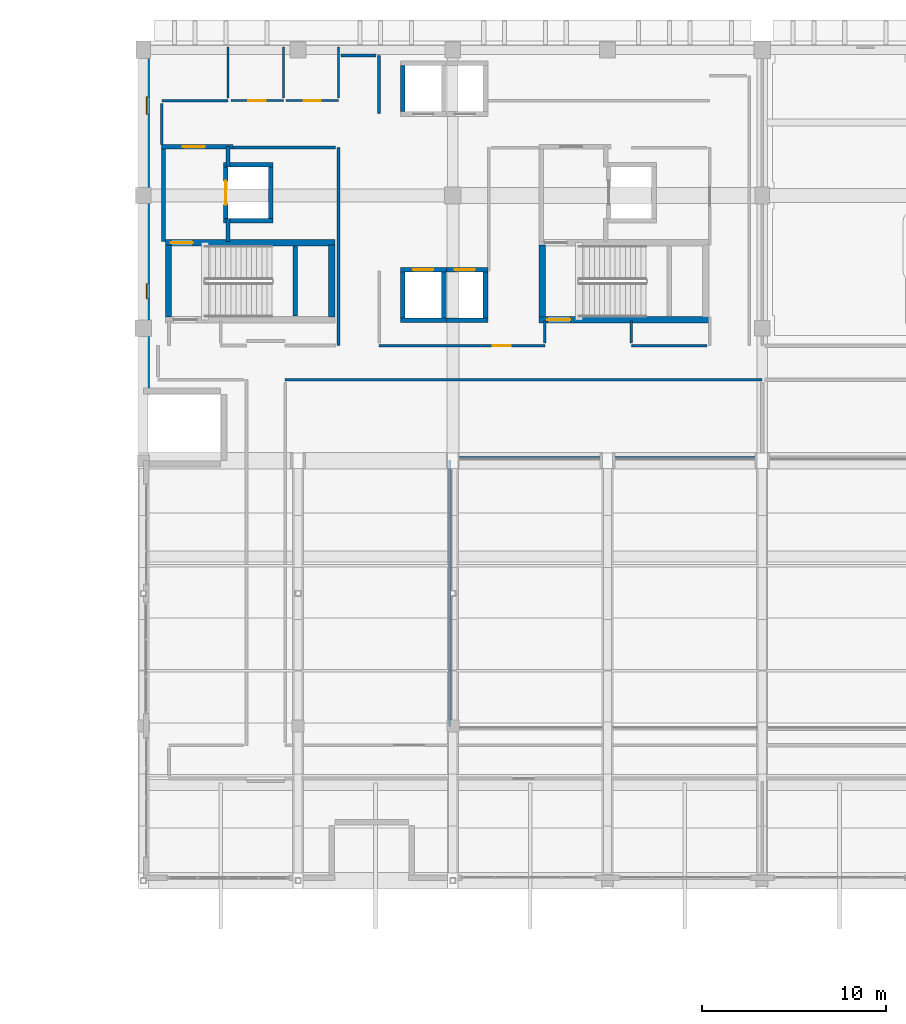
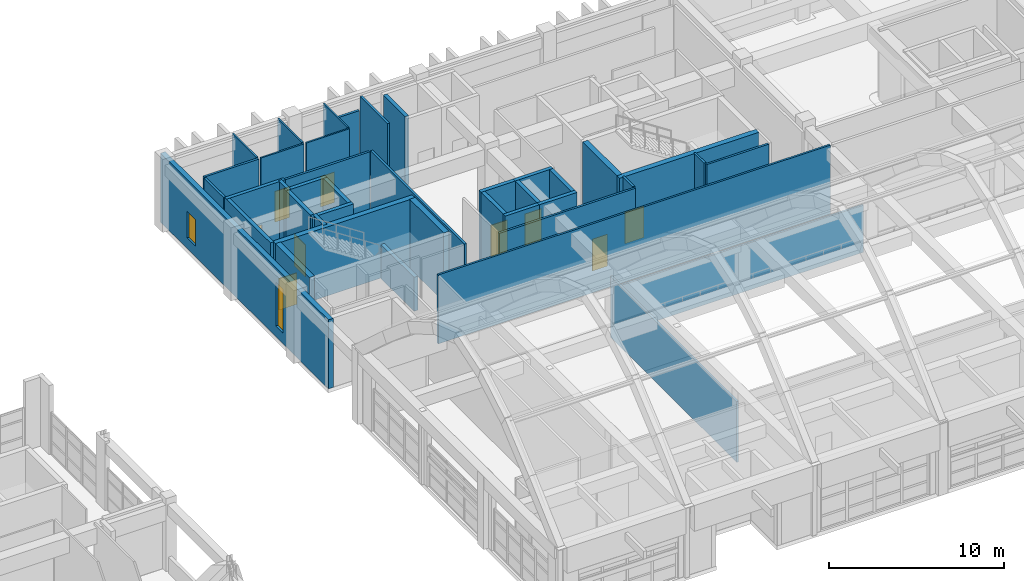
# One storey, part 89 of 103: 41 walls, 9 doors, 2 windows, 11 openings.
"""IFC4 building model written with IfcOpenShell, lengths in metres."""

from ifc_helpers import new_model, si_unit, direction, frame, frame_2d, origin, place, context, subcontext, project, spatial, rectangle, extrude, material, layer, layer_set, type_object, element, fill, save


model = new_model("IFC4")

# Units and contexts
model_context = context("Model", 3, precision=1e-05, world=origin(), true_north=direction((0.0, 1.0)))
body_context = subcontext(model_context, "Body", "Model", "MODEL_VIEW")
ifc_project = project(units=[si_unit("LENGTHUNIT", "METRE"), si_unit("AREAUNIT", "SQUARE_METRE"), si_unit("VOLUMEUNIT", "CUBIC_METRE"), si_unit("PLANEANGLEUNIT", "RADIAN"), si_unit("MASSUNIT", "GRAM", prefix="KILO")], contexts=[model_context])

# Site, building, storey
site_placement = place(None, origin())
site = spatial("IfcSite", under=ifc_project, at=site_placement, CompositionType="ELEMENT")
building_placement = place(site_placement, origin())
building = spatial("IfcBuilding", under=site, at=building_placement, Name="Quendrovan Civic Courthouse", CompositionType="ELEMENT")
storey_placement = place(building_placement, frame((0.0, 0.0, 15.300048828125)))
storey = spatial("IfcBuildingStorey", under=building, at=storey_placement, Name="L04", CompositionType="ELEMENT", Elevation=15.300048828125)

# Wall, opening, door
ifc_material_1 = material(Name="Acoustic gypsum stud partition")
ifc_layer_1 = layer(ifc_material_1, 0.139892578125, Name="Acoustic gypsum stud partition")
ifc_layer_set_1 = layer_set([ifc_layer_1], Name="Acoustic gypsum stud partition")
wall_type_1 = type_object("IfcWallType", Name="WL-CHM-140", PredefinedType="PARTITIONING", material=ifc_layer_set_1)
wall_1_placement = place(storey_placement, frame((55.39990234375, 93.85009765625, 0.0), z_axis=(0.0, 0.0, 1.0), x_axis=(-1.0, 0.0, 0.0)))
wall_1 = element("IfcWall", 1, at=wall_1_placement, inside=storey, type_object=wall_type_1, Name="L04 Judges' Chambers Suite Partition 0578", PredefinedType="PARTITIONING", context=body_context, shape_type="SweptSolid", body=[
    extrude(rectangle(XDim=9.0, YDim=0.139892578125, at=frame_2d((4.5, 0.0))), origin(), (0.0, 0.0, 1.0), 4.820068359375),
])
opening_1_placement = place(wall_1_placement, frame((1.840087890625, 0.0, 0.0)))
opening_1 = element("IfcOpeningElement", 2, at=opening_1_placement, cuts=wall_1, Name="Opening D-L04-086", PredefinedType="OPENING", context=body_context, shape_type="SweptSolid", body=[
    extrude(rectangle(XDim=1.0, YDim=2.219970703125, at=frame_2d((0.5, 1.10986328125))), frame((0.0, 0.080078125, 0.0), z_axis=(0.0, -1.0, 0.0), x_axis=(1.0, 0.0, 0.0)), (0.0, 0.0, 1.0), 0.159912109375),
])
ifc_material_2 = material(Name="Solid Western Red Cedar timber door", Category="wood")
door_type_1 = type_object("IfcDoorType", Name="DR-CHM-1000", OperationType="NOTDEFINED", PredefinedType="DOOR", material=ifc_material_2)
door_1_placement = place(opening_1_placement, origin())
door_1 = element("IfcDoor", 3, at=door_1_placement, inside=storey, type_object=door_type_1, Name="L04 Judges' Chambers Suite Door D-L04-086", OperationType="SINGLE_SWING_LEFT", OverallHeight=2.219970703125, OverallWidth=1.0, PredefinedType="DOOR", context=body_context, shape_type="SweptSolid", body=[
    extrude(rectangle(XDim=1.0, YDim=2.219970703125, at=frame_2d((0.5, 1.10986328125))), frame((0.0, 0.02490234375, 0.0), z_axis=(0.0, -1.0, 0.0), x_axis=(1.0, 0.0, 0.0)), (0.0, 0.0, 1.0), 0.050048828125),
])
fill(opening_1, door_1)

# Walls
wall_2_placement = place(storey_placement, frame((64.199951171875, 93.85009765625, 0.0), z_axis=(0.0, 0.0, 1.0), x_axis=(-1.0, 0.0, 0.0)))
element("IfcWall", 4, at=wall_2_placement, inside=storey, type_object=wall_type_1, Name="L04 Senior Judges' Chambers Suite Partition 0605", PredefinedType="PARTITIONING", context=body_context, shape_type="SweptSolid", body=[
    extrude(rectangle(XDim=4.099853515625, YDim=0.139892578125, at=frame_2d((2.0498046875, 0.0))), origin(), (0.0, 0.0, 1.0), 4.820068359375),
])
for number, where, z_axis, x_axis, name in (
    (5, (55.39990234375, 95.179931640625, 0.0), (0.0, 0.0, 1.0), (0.0, -1.0, 0.0), "L04 Judges' Chambers Suite Partition 0658"),
    (6, (60.10009765625, 94.0, 0.0), (0.0, 0.0, 1.0), (0.0, 1.0, 0.0), "L04 Senior Judges' Chambers Suite Partition 0659"),
):
    element("IfcWall", number, at=place(storey_placement, frame(where, z_axis=z_axis, x_axis=x_axis)), inside=storey, type_object=wall_type_1, Name=name, PredefinedType="PARTITIONING", context=body_context, shape_type="SweptSolid", body=[
        extrude(rectangle(XDim=1.179931640625, YDim=0.139892578125, at=frame_2d((0.58984375, 0.0))), origin(), (0.0, 0.0, 1.0), 4.820068359375),
    ])

# Wall, opening, door
ifc_material_3 = material(Name="Concrete C45/55", Category="concrete")
ifc_layer_2 = layer(ifc_material_3, 0.35009765625, Name="Concrete C45/55")
ifc_layer_set_2 = layer_set([ifc_layer_2], Name="Concrete C45/55")
wall_type_2 = type_object("IfcWallType", Name="WL-CORE-350", PredefinedType="SHEAR", material=ifc_layer_set_2)
wall_3_placement = place(storey_placement, frame((44.010009765625, 99.43505859375, 0.0), z_axis=(0.0, 0.0, 1.0), x_axis=(-1.0, 0.0, 0.0)))
wall_3 = element("IfcWall", 7, at=wall_3_placement, inside=storey, type_object=wall_type_2, Name="L04 Core Shear Wall ST1-N", PredefinedType="SHEAR", context=body_context, shape_type="SweptSolid", body=[
    extrude(rectangle(XDim=9.219970703125, YDim=0.35009765625, at=frame_2d((4.60986328125, 0.0))), origin(), (0.0, 0.0, 1.0), 4.820068359375),
])
opening_2_placement = place(wall_3_placement, frame((7.719970703125, 0.0, 0.0)))
opening_2 = element("IfcOpeningElement", 8, at=opening_2_placement, cuts=wall_3, Name="Opening DFF-ST1-L04", PredefinedType="OPENING", context=body_context, shape_type="SweptSolid", body=[
    extrude(rectangle(XDim=1.199951171875, YDim=2.199951171875, at=frame_2d((0.60009765625, 1.10009765625))), frame((0.0, 0.18505859375, 0.0), z_axis=(0.0, -1.0, 0.0), x_axis=(1.0, 0.0, 0.0)), (0.0, 0.0, 1.0), 0.3701171875),
])
ifc_material_4 = material(Name="Painted galvanized hollow-metal steel", Category="steel")
door_type_2 = type_object("IfcDoorType", Name="DR-FFLOB-1200", OperationType="NOTDEFINED", PredefinedType="DOOR", material=ifc_material_4)
door_2_placement = place(opening_2_placement, origin())
door_2 = element("IfcDoor", 9, at=door_2_placement, inside=storey, type_object=door_type_2, Name="L04 Firefighting Lobby FL1 Direct Stair ST1 Door", OperationType="SINGLE_SWING_RIGHT", OverallHeight=2.199951171875, OverallWidth=1.199951171875, PredefinedType="DOOR", context=body_context, shape_type="SweptSolid", body=[
    extrude(rectangle(XDim=1.199951171875, YDim=2.199951171875, at=frame_2d((0.60009765625, 1.10009765625))), frame((0.0, 0.02490234375, 0.0), z_axis=(0.0, -1.0, 0.0), x_axis=(1.0, 0.0, 0.0)), (0.0, 0.0, 1.0), 0.050048828125),
])
fill(opening_2, door_2)

# Walls
for number, where, z_axis, x_axis, name in (
    (10, (34.965087890625, 95.39990234375, 0.0), (0.0, 0.0, 1.0), (0.0, 1.0, 0.0), "L04 Core Shear Wall ST1-W"),
    (11, (43.8349609375, 99.300048828125, 0.0), (0.0, 0.0, 1.0), (0.0, -1.0, 0.0), "L04 Core Shear Wall ST1-E"),
):
    element("IfcWall", number, at=place(storey_placement, frame(where, z_axis=z_axis, x_axis=x_axis)), inside=storey, type_object=wall_type_2, Name=name, PredefinedType="SHEAR", context=body_context, shape_type="SweptSolid", body=[
        extrude(rectangle(XDim=3.900146484375, YDim=0.35009765625, at=frame_2d((1.9501953125, 0.0))), origin(), (0.0, 0.0, 1.0), 4.820068359375),
    ])

# Wall, opening, door
wall_4_placement = place(storey_placement, frame((55.090087890625, 95.264892578125, 0.0), z_axis=(0.0, 0.0, 1.0), x_axis=(1.0, 0.0, 0.0)))
wall_4 = element("IfcWall", 12, at=wall_4_placement, inside=storey, type_object=wall_type_2, Name="L04 Core Shear Wall ST2-S", PredefinedType="SHEAR", context=body_context, shape_type="SweptSolid", body=[
    extrude(rectangle(XDim=9.219970703125, YDim=0.35009765625, at=frame_2d((4.60986328125, 0.0))), origin(), (0.0, 0.0, 1.0), 4.820068359375),
])
opening_3_placement = place(wall_4_placement, frame((0.449951171875, 0.0, 0.0)))
opening_3 = element("IfcOpeningElement", 13, at=opening_3_placement, cuts=wall_4, Name="Opening DS-ST2-L04", PredefinedType="OPENING", context=body_context, shape_type="SweptSolid", body=[
    extrude(rectangle(XDim=1.25, YDim=2.199951171875, at=frame_2d((0.625, 1.10009765625))), frame((0.0, 0.18505859375, 0.0), z_axis=(0.0, -1.0, 0.0), x_axis=(1.0, 0.0, 0.0)), (0.0, 0.0, 1.0), 0.3701171875),
])
door_type_3 = type_object("IfcDoorType", Name="DR-STAIR-1250", OperationType="NOTDEFINED", PredefinedType="DOOR", material=ifc_material_4)
door_3_placement = place(opening_3_placement, origin())
door_3 = element("IfcDoor", 14, at=door_3_placement, inside=storey, type_object=door_type_3, Name="L04 Exit Stair ST2 Fire Door", OperationType="SINGLE_SWING_LEFT", OverallHeight=2.199951171875, OverallWidth=1.25, PredefinedType="DOOR", context=body_context, shape_type="SweptSolid", body=[
    extrude(rectangle(XDim=1.25, YDim=2.199951171875, at=frame_2d((0.625, 1.10009765625))), frame((0.0, 0.02490234375, 0.0), z_axis=(0.0, -1.0, 0.0), x_axis=(1.0, 0.0, 0.0)), (0.0, 0.0, 1.0), 0.050048828125),
])
fill(opening_3, door_3)

# Wall
wall_5_placement = place(storey_placement, frame((55.264892578125, 95.39990234375, 0.0), z_axis=(0.0, 0.0, 1.0), x_axis=(0.0, 1.0, 0.0)))
element("IfcWall", 15, at=wall_5_placement, inside=storey, type_object=wall_type_2, Name="L04 Core Shear Wall ST2-W", PredefinedType="SHEAR", context=body_context, shape_type="SweptSolid", body=[
    extrude(rectangle(XDim=3.900146484375, YDim=0.35009765625, at=frame_2d((1.9501953125, 0.0))), origin(), (0.0, 0.0, 1.0), 4.820068359375),
])

# Wall, openings, windows
ifc_material_5 = material(Name="Precast concrete C45/55", Category="concrete")
ifc_layer_3 = layer(ifc_material_5, 0.320068359375, Name="Precast concrete C45/55")
ifc_layer_set_3 = layer_set([ifc_layer_3], Name="Precast concrete C45/55")
wall_type_3 = type_object("IfcWallType", Name="WL-EXT-PC320", PredefinedType="SOLIDWALL", material=ifc_layer_set_3)
wall_6_placement = place(storey_placement, frame((33.780029296875, 91.199951171875, 0.0), z_axis=(0.0, 0.0, 1.0), x_axis=(0.0, 1.0, 0.0)))
wall_6 = element("IfcWall", 16, at=wall_6_placement, inside=storey, type_object=wall_type_3, Name="L04 Exterior Precast Concrete Wall 362", PredefinedType="SOLIDWALL", context=body_context, shape_type="SweptSolid", body=[
    extrude(rectangle(XDim=19.199951171875, YDim=0.320068359375, at=frame_2d((9.60009765625, 0.0))), origin(), (0.0, 0.0, 1.0), 4.820068359375),
])
opening_4_placement = place(wall_6_placement, frame((5.18994140625, 0.0, 0.75)))
opening_4 = element("IfcOpeningElement", 17, at=opening_4_placement, cuts=wall_6, Name="Opening W09", PredefinedType="OPENING", context=body_context, shape_type="SweptSolid", body=[
    extrude(rectangle(XDim=0.820068359375, YDim=3.050048828125, at=frame_2d((0.41015625, 1.52490234375))), frame((0.0, 0.169921875, 0.0), z_axis=(0.0, -1.0, 0.0), x_axis=(1.0, 0.0, 0.0)), (0.0, 0.0, 1.0), 0.340087890625),
])
opening_5_placement = place(wall_6_placement, frame((15.199951171875, 0.0, 0.75)))
opening_5 = element("IfcOpeningElement", 18, at=opening_5_placement, cuts=wall_6, Name="Opening W11", PredefinedType="OPENING", context=body_context, shape_type="SweptSolid", body=[
    extrude(rectangle(XDim=0.9599609375, YDim=1.85009765625, at=frame_2d((0.47998046875, 0.925048828125))), frame((0.0, 0.169921875, 0.0), z_axis=(0.0, -1.0, 0.0), x_axis=(1.0, 0.0, 0.0)), (0.0, 0.0, 1.0), 0.340087890625),
])
ifc_material_6 = material(Name="Laminated hurricane-impact low-E glass", Category="glass")
window_type_1 = type_object("IfcWindowType", Name="WIN-SLT-09", PartitioningType="SINGLE_PANEL", PredefinedType="WINDOW", material=ifc_material_6)
window_1_placement = place(opening_4_placement, origin())
window_1 = element("IfcWindow", 19, at=window_1_placement, inside=storey, type_object=window_type_1, Name="L04 Courtroom Shaded Slot Window 0024", OverallHeight=3.050048828125, OverallWidth=0.820068359375, PartitioningType="SINGLE_PANEL", PredefinedType="WINDOW", context=body_context, shape_type="SweptSolid", body=[
    extrude(rectangle(XDim=0.820068359375, YDim=3.050048828125, at=frame_2d((0.41015625, 1.52490234375))), frame((0.0, 0.030029296875, 0.0), z_axis=(0.0, -1.0, 0.0), x_axis=(1.0, 0.0, 0.0)), (0.0, 0.0, 1.0), 0.06005859375),
])
fill(opening_4, window_1)
window_type_2 = type_object("IfcWindowType", Name="WIN-SLT-11", PartitioningType="SINGLE_PANEL", PredefinedType="WINDOW", material=ifc_material_6)
window_2_placement = place(opening_5_placement, origin())
window_2 = element("IfcWindow", 20, at=window_2_placement, inside=storey, type_object=window_type_2, Name="L04 Courtroom Shaded Slot Window 0025", OverallHeight=1.85009765625, OverallWidth=0.9599609375, PartitioningType="SINGLE_PANEL", PredefinedType="WINDOW", context=body_context, shape_type="SweptSolid", body=[
    extrude(rectangle(XDim=0.9599609375, YDim=1.85009765625, at=frame_2d((0.47998046875, 0.925048828125))), frame((0.0, 0.030029296875, 0.0), z_axis=(0.0, -1.0, 0.0), x_axis=(1.0, 0.0, 0.0)), (0.0, 0.0, 1.0), 0.06005859375),
])
fill(opening_5, window_2)

# Wall, opening, door
ifc_material_7 = material(Name="Concrete C40/50", Category="concrete")
ifc_layer_4 = layer(ifc_material_7, 0.22998046875, Name="Concrete C40/50")
ifc_layer_set_4 = layer_set([ifc_layer_4], Name="Concrete C40/50")
wall_type_4 = type_object("IfcWallType", Name="WL-FFLOB-230", PredefinedType="PARTITIONING", material=ifc_layer_set_4)
wall_7_placement = place(storey_placement, frame((34.590087890625, 104.64990234375, 0.0), z_axis=(0.0, 0.0, 1.0), x_axis=(1.0, 0.0, 0.0)))
wall_7 = element("IfcWall", 21, at=wall_7_placement, inside=storey, type_object=wall_type_4, Name="L04 Firefighting Lift Lobby FL1 Wall N", PredefinedType="PARTITIONING", context=body_context, shape_type="SweptSolid", body=[
    extrude(rectangle(XDim=3.889892578125, YDim=0.22998046875, at=frame_2d((1.94482421875, 0.0))), origin(), (0.0, 0.0, 1.0), 4.820068359375),
])
opening_6_placement = place(wall_7_placement, frame((1.14990234375, 0.0, 0.0)))
opening_6 = element("IfcOpeningElement", 22, at=opening_6_placement, cuts=wall_7, Name="Opening DF-FL1-L04N", PredefinedType="OPENING", context=body_context, shape_type="SweptSolid", body=[
    extrude(rectangle(XDim=1.199951171875, YDim=2.199951171875, at=frame_2d((0.60009765625, 1.10009765625))), frame((0.0, 0.125, 0.0), z_axis=(0.0, -1.0, 0.0), x_axis=(1.0, 0.0, 0.0)), (0.0, 0.0, 1.0), 0.25),
])
door_4_placement = place(opening_6_placement, origin())
door_4 = element("IfcDoor", 23, at=door_4_placement, inside=storey, type_object=door_type_2, Name="L04 Firefighting Lobby FL1 Fire Door N", OperationType="SINGLE_SWING_LEFT", OverallHeight=2.199951171875, OverallWidth=1.199951171875, PredefinedType="DOOR", context=body_context, shape_type="SweptSolid", body=[
    extrude(rectangle(XDim=1.199951171875, YDim=2.199951171875, at=frame_2d((0.60009765625, 1.10009765625))), frame((0.0, 0.02490234375, 0.0), z_axis=(0.0, -1.0, 0.0), x_axis=(1.0, 0.0, 0.0)), (0.0, 0.0, 1.0), 0.050048828125),
])
fill(opening_6, door_4)

# Walls
wall_8_placement = place(storey_placement, frame((34.699951171875, 99.5, 0.0), z_axis=(0.0, 0.0, 1.0), x_axis=(0.0, 1.0, 0.0)))
element("IfcWall", 24, at=wall_8_placement, inside=storey, type_object=wall_type_4, Name="L04 Firefighting Lift Lobby FL1 Wall W", PredefinedType="PARTITIONING", context=body_context, shape_type="SweptSolid", body=[
    extrude(rectangle(XDim=5.260009765625, YDim=0.22998046875, at=frame_2d((2.6298828125, 0.0))), origin(), (0.0, 0.0, 1.0), 4.820068359375),
])
wall_9_placement = place(storey_placement, frame((38.199951171875, 104.64990234375, 0.0), z_axis=(0.0, 0.0, 1.0), x_axis=(0.0, -1.0, 0.0)))
element("IfcWall", 25, at=wall_9_placement, inside=storey, type_object=wall_type_4, Name="L04 Firefighting Lift Lobby FL1 Wall EN", PredefinedType="PARTITIONING", context=body_context, shape_type="SweptSolid", body=[
    extrude(rectangle(XDim=1.099853515625, YDim=0.22998046875, at=frame_2d((0.5498046875, 0.0))), origin(), (0.0, 0.0, 1.0), 4.820068359375),
])
wall_10_placement = place(storey_placement, frame((38.199951171875, 100.75, 0.0), z_axis=(0.0, 0.0, 1.0), x_axis=(0.0, -1.0, 0.0)))
element("IfcWall", 26, at=wall_10_placement, inside=storey, type_object=wall_type_4, Name="L04 Firefighting Lift Lobby FL1 Wall ES", PredefinedType="PARTITIONING", context=body_context, shape_type="SweptSolid", body=[
    extrude(rectangle(XDim=1.25, YDim=0.22998046875, at=frame_2d((0.625, 0.0))), origin(), (0.0, 0.0, 1.0), 4.820068359375),
])
ifc_layer_5 = layer(ifc_material_1, 0.14990234375, Name="Acoustic gypsum stud partition")
ifc_layer_set_5 = layer_set([ifc_layer_5], Name="Acoustic gypsum stud partition")
wall_type_5 = type_object("IfcWallType", Name="WL-JURY-150", PredefinedType="PARTITIONING", material=ifc_layer_set_5)
wall_11_placement = place(storey_placement, frame((44.199951171875, 104.60009765625, 0.0), z_axis=(0.0, 0.0, 1.0), x_axis=(0.0, -1.0, 0.0)))
element("IfcWall", 27, at=wall_11_placement, inside=storey, type_object=wall_type_5, Name="L04 Jury Room Partition 0572", PredefinedType="PARTITIONING", context=body_context, shape_type="SweptSolid", body=[
    extrude(rectangle(XDim=10.75, YDim=0.14990234375, at=frame_2d((5.375, 0.0))), origin(), (0.0, 0.0, 1.0), 4.820068359375),
])
wall_12_placement = place(storey_placement, frame((38.47998046875, 104.60009765625, 0.0), z_axis=(0.0, 0.0, 1.0), x_axis=(1.0, 0.0, 0.0)))
element("IfcWall", 28, at=wall_12_placement, inside=storey, type_object=wall_type_5, Name="L04 Jury Room Partition 0590", PredefinedType="PARTITIONING", context=body_context, shape_type="SweptSolid", body=[
    extrude(rectangle(XDim=5.56494140625, YDim=0.14990234375, at=frame_2d((2.782470703125, 0.0))), origin(), (0.0, 0.0, 1.0), 4.820068359375),
])
wall_13_placement = place(storey_placement, frame((38.199951171875, 107.14990234375, 0.0), z_axis=(0.0, 0.0, 1.0), x_axis=(-1.0, 0.0, 0.0)))
element("IfcWall", 29, at=wall_13_placement, inside=storey, type_object=wall_type_5, Name="L04 Jury Room Partition 0614", PredefinedType="PARTITIONING", context=body_context, shape_type="SweptSolid", body=[
    extrude(rectangle(XDim=3.599853515625, YDim=0.14990234375, at=frame_2d((1.7998046875, 0.0))), origin(), (0.0, 0.0, 1.0), 4.820068359375),
])
wall_14_placement = place(storey_placement, frame((46.39990234375, 106.449951171875, 0.0), z_axis=(0.0, 0.0, 1.0), x_axis=(0.0, 1.0, 0.0)))
element("IfcWall", 30, at=wall_14_placement, inside=storey, type_object=wall_type_5, Name="L04 Jury Room Partition 0619", PredefinedType="PARTITIONING", context=body_context, shape_type="SweptSolid", body=[
    extrude(rectangle(XDim=3.150146484375, YDim=0.14990234375, at=frame_2d((1.5751953125, 0.0))), origin(), (0.0, 0.0, 1.0), 4.820068359375),
])
wall_15_placement = place(storey_placement, frame((34.60009765625, 106.9951171875, 0.0), z_axis=(0.0, 0.0, 1.0), x_axis=(0.0, -1.0, 0.0)))
element("IfcWall", 31, at=wall_15_placement, inside=storey, type_object=wall_type_5, Name="L04 Jury Room Partition 0632", PredefinedType="PARTITIONING", context=body_context, shape_type="SweptSolid", body=[
    extrude(rectangle(XDim=2.22509765625, YDim=0.14990234375, at=frame_2d((1.112548828125, 0.0))), origin(), (0.0, 0.0, 1.0), 4.820068359375),
])
wall_16_placement = place(storey_placement, frame((46.2451171875, 109.60009765625, 0.0), z_axis=(0.0, 0.0, 1.0), x_axis=(-1.0, 0.0, 0.0)))
element("IfcWall", 32, at=wall_16_placement, inside=storey, type_object=wall_type_5, Name="L04 Jury Room Partition 0639", PredefinedType="PARTITIONING", context=body_context, shape_type="SweptSolid", body=[
    extrude(rectangle(XDim=1.91015625, YDim=0.14990234375, at=frame_2d((0.955078125, 0.0))), origin(), (0.0, 0.0, 1.0), 3.89990234375),
])
ifc_material_8 = material(Name="Gypsum stud partition")
ifc_layer_6 = layer(ifc_material_8, 0.1298828125, Name="Gypsum stud partition")
ifc_layer_set_6 = layer_set([ifc_layer_6], Name="Gypsum stud partition")
wall_type_6 = type_object("IfcWallType", Name="WL-REG-130", PredefinedType="PARTITIONING", material=ifc_layer_set_6)
wall_17_placement = place(storey_placement, frame((41.300048828125, 92.0, 0.0), z_axis=(0.0, 0.0, 1.0), x_axis=(1.0, 0.0, 0.0)))
element("IfcWall", 33, at=wall_17_placement, inside=storey, type_object=wall_type_6, Name="L04 Public Hall Clerestory Promenade Partition 0547", PredefinedType="PARTITIONING", context=body_context, shape_type="SweptSolid", body=[
    extrude(rectangle(XDim=25.89990234375, YDim=0.1298828125, at=frame_2d((12.949951171875, 0.0))), origin(), (0.0, 0.0, 1.0), 4.820068359375),
])
wall_18_placement = place(storey_placement, frame((66.929931640625, 87.760009765625, 0.0), z_axis=(0.0, 0.0, 1.0), x_axis=(-1.0, 0.0, 0.0)))
element("IfcWall", 34, at=wall_18_placement, inside=storey, type_object=wall_type_6, Name="L04 Public Hall Clerestory Promenade Partition 0559", PredefinedType="PARTITIONING", context=body_context, shape_type="SweptSolid", body=[
    extrude(rectangle(XDim=16.6298828125, YDim=0.1298828125, at=frame_2d((8.31494140625, 0.0))), origin(), (0.0, 0.0, 1.0), 3.2900390625),
])
wall_19_placement = place(storey_placement, frame((50.239990234375, 87.628173828125, 0.0), z_axis=(0.0, 0.0, 1.0), x_axis=(0.0, -1.0, 0.0)))
element("IfcWall", 35, at=wall_19_placement, inside=storey, type_object=wall_type_6, Name="L04 Public Hall Clerestory Promenade Partition 0567", PredefinedType="PARTITIONING", context=body_context, shape_type="SweptSolid", body=[
    extrude(rectangle(XDim=14.456298828125, YDim=0.1298828125, at=frame_2d((7.22802734375, 0.0))), origin(), (0.0, 0.0, 1.0), 4.239990234375),
])
ifc_layer_7 = layer(ifc_material_3, 0.25, Name="Concrete C45/55")
ifc_layer_set_7 = layer_set([ifc_layer_7], Name="Concrete C45/55")
wall_type_7 = type_object("IfcWallType", Name="WL-SHAFT-250", PredefinedType="SHEAR", material=ifc_layer_set_7)
wall_20_placement = place(storey_placement, frame((41.85009765625, 95.449951171875, 0.0), z_axis=(0.0, 0.0, 1.0), x_axis=(0.0, 1.0, 0.0)))
element("IfcWall", 36, at=wall_20_placement, inside=storey, type_object=wall_type_7, Name="L04 Stair ST1 Mid-Landing Bearing Wall", PredefinedType="SHEAR", context=body_context, shape_type="SweptSolid", body=[
    extrude(rectangle(XDim=3.800048828125, YDim=0.25, at=frame_2d((1.89990234375, 0.0))), origin(), (0.0, 0.0, 1.0), 2.369873046875),
])
wall_21_placement = place(storey_placement, frame((47.550048828125, 95.22509765625, 0.0), z_axis=(0.0, 0.0, 1.0), x_axis=(1.0, 0.0, 0.0)))
element("IfcWall", 37, at=wall_21_placement, inside=storey, type_object=wall_type_7, Name="L04 Lift Hoistway Wall PL3 -Y", PredefinedType="SHEAR", context=body_context, shape_type="SweptSolid", body=[
    extrude(rectangle(XDim=2.5, YDim=0.25, at=frame_2d((1.25, 0.0))), origin(), (0.0, 0.0, 1.0), 4.820068359375),
])

# Wall, opening, door
wall_22_placement = place(storey_placement, frame((50.050048828125, 97.97509765625, 0.0), z_axis=(0.0, 0.0, 1.0), x_axis=(-1.0, 0.0, 0.0)))
wall_22 = element("IfcWall", 38, at=wall_22_placement, inside=storey, type_object=wall_type_7, Name="L04 Lift Hoistway Wall PL3 +Y", PredefinedType="SHEAR", context=body_context, shape_type="SweptSolid", body=[
    extrude(rectangle(XDim=2.5, YDim=0.25, at=frame_2d((1.25, 0.0))), origin(), (0.0, 0.0, 1.0), 4.820068359375),
])
opening_7_placement = place(wall_22_placement, frame((0.699951171875, 0.0, 0.0)))
opening_7 = element("IfcOpeningElement", 39, at=opening_7_placement, cuts=wall_22, Name="Opening LD-PL3-L04", PredefinedType="OPENING", context=body_context, shape_type="SweptSolid", body=[
    extrude(rectangle(XDim=1.10009765625, YDim=2.199951171875, at=frame_2d((0.550048828125, 1.10009765625))), frame((0.0, 0.135009765625, 0.0), z_axis=(0.0, -1.0, 0.0), x_axis=(1.0, 0.0, 0.0)), (0.0, 0.0, 1.0), 0.27001953125),
])
ifc_material_9 = material(Name="Brushed bronze-anodised stainless steel", Category="steel")
door_type_4 = type_object("IfcDoorType", Name="DR-LIFT-LD-PL", OperationType="NOTDEFINED", PredefinedType="DOOR", material=ifc_material_9)
door_5_placement = place(opening_7_placement, origin())
door_5 = element("IfcDoor", 40, at=door_5_placement, inside=storey, type_object=door_type_4, Name="L04 Lift PL3 Sliding Landing Door", OperationType="SLIDING_TO_LEFT", OverallHeight=2.199951171875, OverallWidth=1.10009765625, PredefinedType="DOOR", context=body_context, shape_type="SweptSolid", body=[
    extrude(rectangle(XDim=1.10009765625, YDim=2.199951171875, at=frame_2d((0.550048828125, 1.10009765625))), frame((0.0, 0.02490234375, 0.0), z_axis=(0.0, -1.0, 0.0), x_axis=(1.0, 0.0, 0.0)), (0.0, 0.0, 1.0), 0.050048828125),
])
fill(opening_7, door_5)

# Walls
for number, where, z_axis, x_axis, name in (
    (41, (47.675048828125, 95.35009765625, 0.0), (0.0, 0.0, 1.0), (0.0, 1.0, 0.0), "L04 Lift Hoistway Wall PL3 -X"),
    (42, (49.925048828125, 97.85009765625, 0.0), (0.0, 0.0, 1.0), (0.0, -1.0, 0.0), "L04 Lift Hoistway Wall PL3 +X"),
    (43, (49.800048828125, 95.22509765625, 0.0), (0.0, 0.0, 1.0), (1.0, 0.0, 0.0), "L04 Lift Hoistway Wall PL4 -Y"),
):
    element("IfcWall", number, at=place(storey_placement, frame(where, z_axis=z_axis, x_axis=x_axis)), inside=storey, type_object=wall_type_7, Name=name, PredefinedType="SHEAR", context=body_context, shape_type="SweptSolid", body=[
        extrude(rectangle(XDim=2.5, YDim=0.25, at=frame_2d((1.25, 0.0))), origin(), (0.0, 0.0, 1.0), 4.820068359375),
    ])

# Wall, opening, door
wall_23_placement = place(storey_placement, frame((52.300048828125, 97.97509765625, 0.0), z_axis=(0.0, 0.0, 1.0), x_axis=(-1.0, 0.0, 0.0)))
wall_23 = element("IfcWall", 44, at=wall_23_placement, inside=storey, type_object=wall_type_7, Name="L04 Lift Hoistway Wall PL4 +Y", PredefinedType="SHEAR", context=body_context, shape_type="SweptSolid", body=[
    extrude(rectangle(XDim=2.5, YDim=0.25, at=frame_2d((1.25, 0.0))), origin(), (0.0, 0.0, 1.0), 4.820068359375),
])
opening_8_placement = place(wall_23_placement, frame((0.699951171875, 0.0, 0.0)))
opening_8 = element("IfcOpeningElement", 45, at=opening_8_placement, cuts=wall_23, Name="Opening LD-PL4-L04", PredefinedType="OPENING", context=body_context, shape_type="SweptSolid", body=[
    extrude(rectangle(XDim=1.10009765625, YDim=2.199951171875, at=frame_2d((0.550048828125, 1.10009765625))), frame((0.0, 0.135009765625, 0.0), z_axis=(0.0, -1.0, 0.0), x_axis=(1.0, 0.0, 0.0)), (0.0, 0.0, 1.0), 0.27001953125),
])
door_6_placement = place(opening_8_placement, origin())
door_6 = element("IfcDoor", 46, at=door_6_placement, inside=storey, type_object=door_type_4, Name="L04 Lift PL4 Sliding Landing Door", OperationType="SLIDING_TO_LEFT", OverallHeight=2.199951171875, OverallWidth=1.10009765625, PredefinedType="DOOR", context=body_context, shape_type="SweptSolid", body=[
    extrude(rectangle(XDim=1.10009765625, YDim=2.199951171875, at=frame_2d((0.550048828125, 1.10009765625))), frame((0.0, 0.02490234375, 0.0), z_axis=(0.0, -1.0, 0.0), x_axis=(1.0, 0.0, 0.0)), (0.0, 0.0, 1.0), 0.050048828125),
])
fill(opening_8, door_6)

# Walls
for number, where, z_axis, x_axis, name in (
    (47, (52.175048828125, 97.85009765625, 0.0), (0.0, 0.0, 1.0), (0.0, -1.0, 0.0), "L04 Lift Hoistway Wall PL4 +X"),
    (48, (47.675048828125, 106.550048828125, 0.0), (0.0, 0.0, 1.0), (0.0, 1.0, 0.0), "L04 Lift Hoistway Wall JL1 -X"),
):
    element("IfcWall", number, at=place(storey_placement, frame(where, z_axis=z_axis, x_axis=x_axis)), inside=storey, type_object=wall_type_7, Name=name, PredefinedType="SHEAR", context=body_context, shape_type="SweptSolid", body=[
        extrude(rectangle(XDim=2.5, YDim=0.25, at=frame_2d((1.25, 0.0))), origin(), (0.0, 0.0, 1.0), 4.820068359375),
    ])
for number, where, z_axis, x_axis, name in (
    (49, (37.949951171875, 100.625, 0.0), (0.0, 0.0, 1.0), (1.0, 0.0, 0.0), "L04 Lift Hoistway Wall FL1 -Y"),
    (50, (40.64990234375, 103.675048828125, 0.0), (0.0, 0.0, 1.0), (-1.0, 0.0, 0.0), "L04 Lift Hoistway Wall FL1 +Y"),
):
    element("IfcWall", number, at=place(storey_placement, frame(where, z_axis=z_axis, x_axis=x_axis)), inside=storey, type_object=wall_type_7, Name=name, PredefinedType="SHEAR", context=body_context, shape_type="SweptSolid", body=[
        extrude(rectangle(XDim=2.699951171875, YDim=0.25, at=frame_2d((1.35009765625, 0.0))), origin(), (0.0, 0.0, 1.0), 4.820068359375),
    ])

# Wall, opening, door
wall_24_placement = place(storey_placement, frame((38.074951171875, 100.75, 0.0), z_axis=(0.0, 0.0, 1.0), x_axis=(0.0, 1.0, 0.0)))
wall_24 = element("IfcWall", 51, at=wall_24_placement, inside=storey, type_object=wall_type_7, Name="L04 Lift Hoistway Wall FL1 -X", PredefinedType="SHEAR", context=body_context, shape_type="SweptSolid", body=[
    extrude(rectangle(XDim=2.800048828125, YDim=0.25, at=frame_2d((1.39990234375, 0.0))), origin(), (0.0, 0.0, 1.0), 4.820068359375),
])
opening_9_placement = place(wall_24_placement, frame((0.75, 0.0, 0.0)))
opening_9 = element("IfcOpeningElement", 52, at=opening_9_placement, cuts=wall_24, Name="Opening LD-FL1-L04", PredefinedType="OPENING", context=body_context, shape_type="SweptSolid", body=[
    extrude(rectangle(XDim=1.300048828125, YDim=2.25, at=frame_2d((0.64990234375, 1.125))), frame((0.0, 0.135009765625, 0.0), z_axis=(0.0, -1.0, 0.0), x_axis=(1.0, 0.0, 0.0)), (0.0, 0.0, 1.0), 0.27001953125),
])
ifc_material_10 = material(Name="Smoke-tight fire-service stainless steel", Category="steel")
door_type_5 = type_object("IfcDoorType", Name="DR-LIFT-LD-FL", OperationType="NOTDEFINED", PredefinedType="DOOR", material=ifc_material_10)
door_7_placement = place(opening_9_placement, origin())
door_7 = element("IfcDoor", 53, at=door_7_placement, inside=storey, type_object=door_type_5, Name="L04 Lift FL1 Sliding Landing Door", OperationType="SLIDING_TO_LEFT", OverallHeight=2.25, OverallWidth=1.300048828125, PredefinedType="DOOR", context=body_context, shape_type="SweptSolid", body=[
    extrude(rectangle(XDim=1.300048828125, YDim=2.25, at=frame_2d((0.64990234375, 1.125))), frame((0.0, 0.02490234375, 0.0), z_axis=(0.0, -1.0, 0.0), x_axis=(1.0, 0.0, 0.0)), (0.0, 0.0, 1.0), 0.050048828125),
])
fill(opening_9, door_7)

# Wall
wall_25_placement = place(storey_placement, frame((40.52490234375, 103.550048828125, 0.0), z_axis=(0.0, 0.0, 1.0), x_axis=(0.0, -1.0, 0.0)))
element("IfcWall", 54, at=wall_25_placement, inside=storey, type_object=wall_type_7, Name="L04 Lift Hoistway Wall FL1 +X", PredefinedType="SHEAR", context=body_context, shape_type="SweptSolid", body=[
    extrude(rectangle(XDim=2.800048828125, YDim=0.25, at=frame_2d((1.39990234375, 0.0))), origin(), (0.0, 0.0, 1.0), 4.820068359375),
])

# Wall, opening, door
ifc_material_11 = material(Name="Moisture-resistant tile-backer partition")
ifc_layer_8 = layer(ifc_material_11, 0.110107421875, Name="Moisture-resistant tile-backer partition")
ifc_layer_set_8 = layer_set([ifc_layer_8], Name="Moisture-resistant tile-backer partition")
wall_type_8 = type_object("IfcWallType", Name="WL-WET-110", PredefinedType="PARTITIONING", material=ifc_layer_set_8)
wall_26_placement = place(storey_placement, frame((41.199951171875, 107.14990234375, 0.0), z_axis=(0.0, 0.0, 1.0), x_axis=(-1.0, 0.0, 0.0)))
wall_26 = element("IfcWall", 55, at=wall_26_placement, inside=storey, type_object=wall_type_8, Name="L04 L04 Accessible WC Partition 0620", PredefinedType="PARTITIONING", context=body_context, shape_type="SweptSolid", body=[
    extrude(rectangle(XDim=2.844970703125, YDim=0.110107421875, at=frame_2d((1.42236328125, 0.0))), origin(), (0.0, 0.0, 1.0), 4.820068359375),
])
opening_10_placement = place(wall_26_placement, frame((0.9423828125, 0.0, 0.0)))
opening_10 = element("IfcOpeningElement", 56, at=opening_10_placement, cuts=wall_26, Name="Opening D-L04-075", PredefinedType="OPENING", context=body_context, shape_type="SweptSolid", body=[
    extrude(rectangle(XDim=0.9599609375, YDim=2.139892578125, at=frame_2d((0.47998046875, 1.06982421875))), frame((0.0, 0.06494140625, 0.0), z_axis=(0.0, -1.0, 0.0), x_axis=(1.0, 0.0, 0.0)), (0.0, 0.0, 1.0), 0.130126953125),
])
ifc_material_12 = material(Name="Moisture-resistant laminate timber door", Category="wood")
door_type_6 = type_object("IfcDoorType", Name="DR-WC-ACC-960", OperationType="NOTDEFINED", PredefinedType="DOOR", material=ifc_material_12)
door_8_placement = place(opening_10_placement, origin())
door_8 = element("IfcDoor", 57, at=door_8_placement, inside=storey, type_object=door_type_6, Name="L04 L04 Accessible WC Door D-L04-075", OperationType="SINGLE_SWING_RIGHT", OverallHeight=2.139892578125, OverallWidth=0.9599609375, PredefinedType="DOOR", context=body_context, shape_type="SweptSolid", body=[
    extrude(rectangle(XDim=0.9599609375, YDim=2.139892578125, at=frame_2d((0.47998046875, 1.06982421875))), frame((0.0, 0.02490234375, 0.0), z_axis=(0.0, -1.0, 0.0), x_axis=(1.0, 0.0, 0.0)), (0.0, 0.0, 1.0), 0.050048828125),
])
fill(opening_10, door_8)

wall_27_placement = place(storey_placement, frame((44.199951171875, 107.14990234375, 0.0), z_axis=(0.0, 0.0, 1.0), x_axis=(-1.0, 0.0, 0.0)))
wall_27 = element("IfcWall", 58, at=wall_27_placement, inside=storey, type_object=wall_type_8, Name="L04 L04 Judicial and Public Restroom Partition 0621", PredefinedType="PARTITIONING", context=body_context, shape_type="SweptSolid", body=[
    extrude(rectangle(XDim=2.864990234375, YDim=0.110107421875, at=frame_2d((1.4326171875, 0.0))), origin(), (0.0, 0.0, 1.0), 4.820068359375),
])
opening_11_placement = place(wall_27_placement, frame((0.972412109375, 0.0, 0.0)))
opening_11 = element("IfcOpeningElement", 59, at=opening_11_placement, cuts=wall_27, Name="Opening D-L04-076", PredefinedType="OPENING", context=body_context, shape_type="SweptSolid", body=[
    extrude(rectangle(XDim=0.919921875, YDim=2.1201171875, at=frame_2d((0.4599609375, 1.06005859375))), frame((0.0, 0.06494140625, 0.0), z_axis=(0.0, -1.0, 0.0), x_axis=(1.0, 0.0, 0.0)), (0.0, 0.0, 1.0), 0.130126953125),
])
door_type_7 = type_object("IfcDoorType", Name="DR-WC-STD-920", OperationType="NOTDEFINED", PredefinedType="DOOR", material=ifc_material_12)
door_9_placement = place(opening_11_placement, origin())
door_9 = element("IfcDoor", 60, at=door_9_placement, inside=storey, type_object=door_type_7, Name="L04 L04 Judicial and Public Restroom Door D-L04-076", OperationType="SINGLE_SWING_LEFT", OverallHeight=2.1201171875, OverallWidth=0.919921875, PredefinedType="DOOR", context=body_context, shape_type="SweptSolid", body=[
    extrude(rectangle(XDim=0.919921875, YDim=2.1201171875, at=frame_2d((0.4599609375, 1.06005859375))), frame((0.0, 0.02490234375, 0.0), z_axis=(0.0, -1.0, 0.0), x_axis=(1.0, 0.0, 0.0)), (0.0, 0.0, 1.0), 0.050048828125),
])
fill(opening_11, door_9)

# Walls
wall_28_placement = place(storey_placement, frame((41.199951171875, 110.050048828125, 0.0), z_axis=(0.0, 0.0, 1.0), x_axis=(0.0, -1.0, 0.0)))
element("IfcWall", 61, at=wall_28_placement, inside=storey, type_object=wall_type_8, Name="L04 L04 Accessible WC Partition 0623", PredefinedType="PARTITIONING", context=body_context, shape_type="SweptSolid", body=[
    extrude(rectangle(XDim=2.76513671875, YDim=0.110107421875, at=frame_2d((1.382568359375, 0.0))), origin(), (0.0, 0.0, 1.0), 4.820068359375),
])
wall_29_placement = place(storey_placement, frame((38.199951171875, 107.304931640625, 0.0), z_axis=(0.0, 0.0, 1.0), x_axis=(0.0, 1.0, 0.0)))
element("IfcWall", 62, at=wall_29_placement, inside=storey, type_object=wall_type_8, Name="L04 L04 Accessible WC Partition 0624", PredefinedType="PARTITIONING", context=body_context, shape_type="SweptSolid", body=[
    extrude(rectangle(XDim=2.7451171875, YDim=0.110107421875, at=frame_2d((1.37255859375, 0.0))), origin(), (0.0, 0.0, 1.0), 4.820068359375),
])
wall_30_placement = place(storey_placement, frame((44.199951171875, 110.050048828125, 0.0), z_axis=(0.0, 0.0, 1.0), x_axis=(0.0, -1.0, 0.0)))
element("IfcWall", 63, at=wall_30_placement, inside=storey, type_object=wall_type_8, Name="L04 L04 Judicial and Public Restroom Partition 0625", PredefinedType="PARTITIONING", context=body_context, shape_type="SweptSolid", body=[
    extrude(rectangle(XDim=2.76513671875, YDim=0.110107421875, at=frame_2d((1.382568359375, 0.0))), origin(), (0.0, 0.0, 1.0), 4.820068359375),
])

save(model, "model.ifc")
